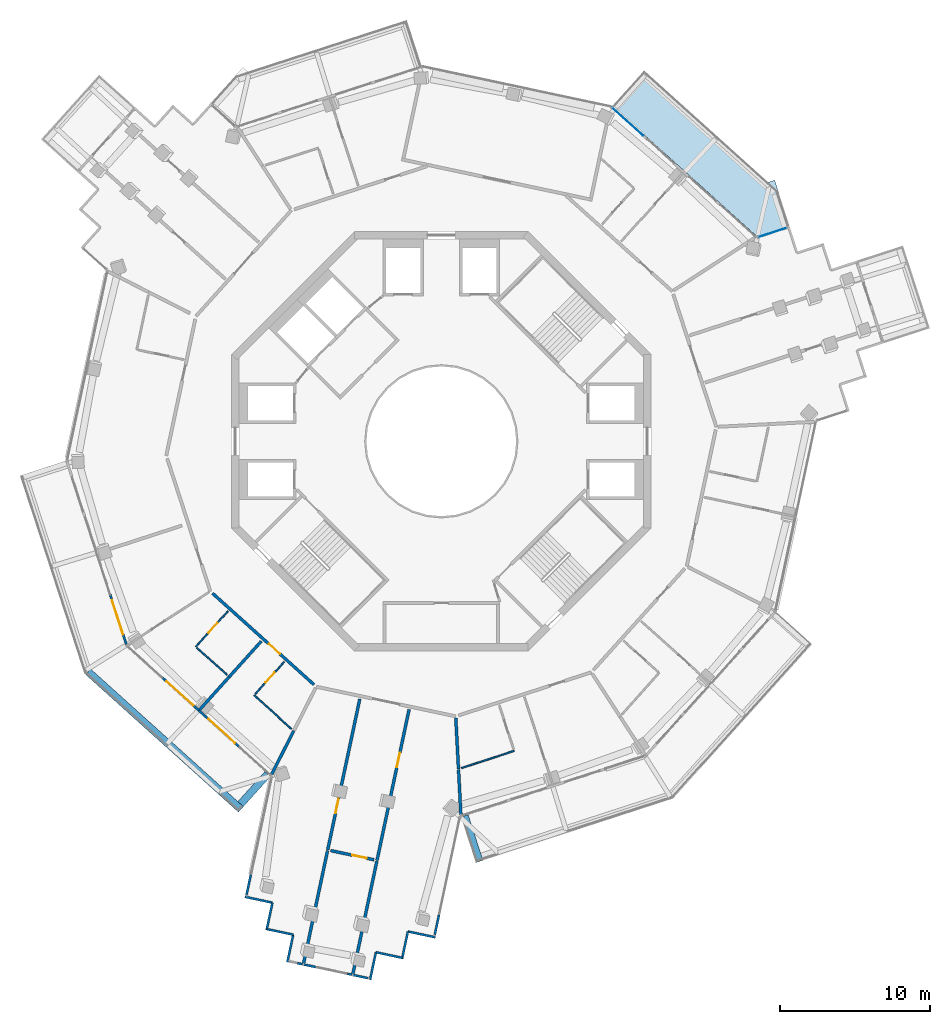
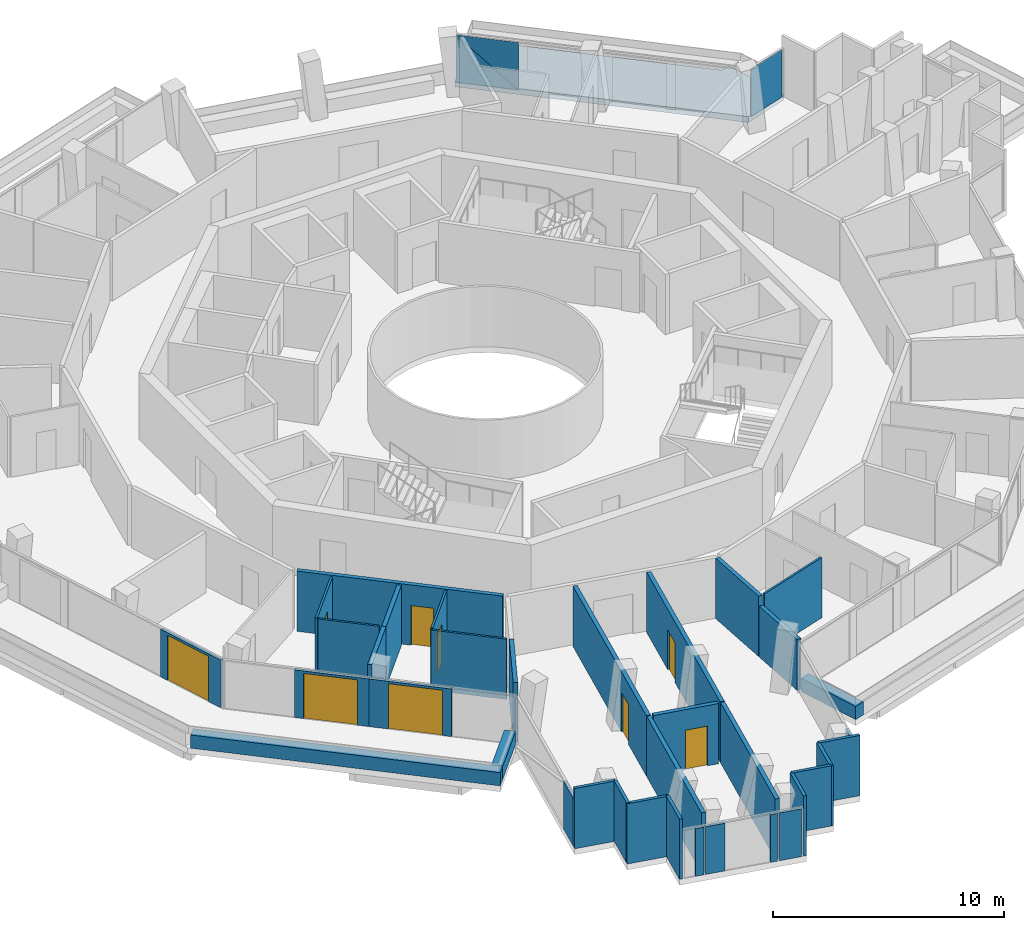
# One storey, part 14 of 22: 36 walls, 9 doors, 3 plates, 1 slab, 9 openings, 2 elements without a shape of their own.
"""IFC4 building model written with IfcOpenShell, lengths in metres."""

from ifc_helpers import new_model, si_unit, direction, frame, frame_2d, origin, origin_2d, place, context, subcontext, project, spatial, polyline, rectangle, outline, extrude, material, layer, layer_set, type_object, element, fill, aggregate, save


model = new_model("IFC4")

# Units and contexts
model_context = context("Model", 3, precision=1e-05, world=origin(), true_north=direction((0.0, 1.0)))
body_context = subcontext(model_context, "Body", "Model", "MODEL_VIEW")
ifc_project = project(units=[si_unit("LENGTHUNIT", "METRE"), si_unit("AREAUNIT", "SQUARE_METRE"), si_unit("VOLUMEUNIT", "CUBIC_METRE"), si_unit("PLANEANGLEUNIT", "RADIAN"), si_unit("MASSUNIT", "GRAM", prefix="KILO")], contexts=[model_context])

# Site, building, storey
site_placement = place(None, origin())
site = spatial("IfcSite", under=ifc_project, at=site_placement, CompositionType="ELEMENT")
building_placement = place(site_placement, origin())
building = spatial("IfcBuilding", under=site, at=building_placement, Name="Verdalira Terraces Hotel", CompositionType="ELEMENT")
storey_placement = place(building_placement, frame((0.0, 0.0, 230.5)))
storey = spatial("IfcBuildingStorey", under=building, at=storey_placement, Name="L56", CompositionType="ELEMENT", Elevation=230.5)

# Slab
ifc_material_1 = material(Name="Precast concrete C40/50", Category="concrete")
ifc_layer_1 = layer(ifc_material_1, 0.31005859375)
ifc_layer_set_1 = layer_set([ifc_layer_1], Name="Balcony deck 310")
slab_type = type_object("IfcSlabType", Name="Balcony deck 310", PredefinedType="FLOOR", material=ifc_layer_set_1)
slab_placement = place(storey_placement, frame((0.0, 0.0, -0.310059)))
element("IfcSlab", 1, at=slab_placement, inside=storey, type_object=slab_type, Name="Balcony deck", PredefinedType="FLOOR", context=body_context, shape_type="SweptSolid", body=[
    extrude(outline(polyline([(13.542725, 24.754883), (11.401611, 22.376709), (21.0625, 13.678223), (23.238037, 14.38501), (22.249268, 17.428467), (21.830566, 17.29248), (13.542725, 24.754883)])), origin(), (0.0, 0.0, 1.0), 0.310059),
])

# Curtain wall, plates
ifc_material_2 = material(Name="Clear glass", Category="glass")
ifc_layer_2 = layer(ifc_material_2, 0.14990234375)
ifc_layer_set_2 = layer_set([ifc_layer_2], Name="CW1 curtain wall")
curtain_wall_type_1 = type_object("IfcCurtainWallType", Name="CW1 curtain wall", PredefinedType="NOTDEFINED", material=ifc_layer_set_2)
curtain_wall_1_placement = place(storey_placement, origin())
curtain_wall_1 = element("IfcCurtainWall", 2, at=curtain_wall_1_placement, inside=storey, type_object=curtain_wall_type_1, Name="CW1 curtain wall L56 edge 39", PredefinedType="NOTDEFINED")
ifc_material_3 = material(Name="Clear glass", Category="glass")
ifc_layer_3 = layer(ifc_material_3, 0.028076171875)
ifc_layer_set_3 = layer_set([ifc_layer_3], Name="CW1 glass unit 28")
plate_type_1 = type_object("IfcPlateType", Name="CW1 glass unit 28", PredefinedType="CURTAIN_PANEL", material=ifc_layer_set_3)
plate_1_placement = place(storey_placement, frame((12.419189, 21.34082, 1.262451), z_axis=(0.669130606, 0.743144825, 0.0), x_axis=(-0.743144825, 0.669130606, 0.0)))
plate_1 = element("IfcPlate", 3, at=plate_1_placement, type_object=plate_type_1, Name="CW1 glass unit", PredefinedType="CURTAIN_PANEL", context=body_context, shape_type="SweptSolid", body=[
    extrude(outline(polyline([(-1.389404, -1.262451), (1.389404, -1.262451), (1.389404, 1.262451), (-1.389404, -1.262451)])), origin(), (0.0, 0.0, 1.0), 0.028076),
])
plate_2_placement = place(storey_placement, frame((12.399658, 21.319336, 1.262451), z_axis=(0.669130606, 0.743144825, 0.0), x_axis=(-0.743144825, 0.669130606, 0.0)))
plate_2 = element("IfcPlate", 4, at=plate_2_placement, type_object=plate_type_1, Name="CW1 glass unit", PredefinedType="CURTAIN_PANEL", context=body_context, shape_type="SweptSolid", body=[
    extrude(outline(polyline([(-1.389404, -1.262451), (1.389404, 1.262451), (-1.389404, 1.262451), (-1.389404, -1.262451)])), origin(), (0.0, 0.0, 1.0), 0.028076),
])
aggregate(curtain_wall_1, [plate_1, plate_2])

# Curtain wall, plate
ifc_material_4 = material(Name="Clear glass", Category="glass")
ifc_layer_4 = layer(ifc_material_4, 0.14990234375)
ifc_layer_set_4 = layer_set([ifc_layer_4], Name="CW2 curtain wall")
curtain_wall_type_2 = type_object("IfcCurtainWallType", Name="CW2 curtain wall", PredefinedType="NOTDEFINED", material=ifc_layer_set_4)
curtain_wall_2_placement = place(storey_placement, origin())
curtain_wall_2 = element("IfcCurtainWall", 5, at=curtain_wall_2_placement, inside=storey, type_object=curtain_wall_type_2, Name="CW2 curtain wall L56 edge 38", PredefinedType="NOTDEFINED")
ifc_material_5 = material(Name="Clear glass", Category="glass")
ifc_layer_5 = layer(ifc_material_5, 0.031982421875)
ifc_layer_set_5 = layer_set([ifc_layer_5], Name="CW2 glass unit 32")
plate_type_2 = type_object("IfcPlateType", Name="CW2 glass unit 32", PredefinedType="CURTAIN_PANEL", material=ifc_layer_set_5)
plate_3_placement = place(storey_placement, frame((22.102051, 13.937012, 0.0), z_axis=(0.0, 0.0, 1.0), x_axis=(-0.951056516, -0.309016994, 0.0)))
plate_3 = element("IfcPlate", 6, at=plate_3_placement, type_object=plate_type_2, Name="CW2 glass unit", PredefinedType="CURTAIN_PANEL", context=body_context, shape_type="SweptSolid", body=[
    extrude(rectangle(XDim=1.997559, YDim=0.031982, at=origin_2d()), origin(), (0.0, 0.0, 1.0), 2.524902),
])
aggregate(curtain_wall_2, [plate_3])

# Walls
ifc_material_6 = material(Name="Concrete C40", Category="concrete")
ifc_layer_6 = layer(ifc_material_6, 0.5)
ifc_layer_set_6 = layer_set([ifc_layer_6], Name="Balcony planter trough with tree")
wall_type_1 = type_object("IfcWallType", Name="Balcony planter trough with tree", PredefinedType="SOLIDWALL", material=ifc_layer_set_6)
wall_1_placement = place(storey_placement, frame((-23.573975, -15.38623, 0.0), z_axis=(0.0, 0.0, 1.0), x_axis=(0.743141094, -0.669134751, 0.0)))
element("IfcWall", 7, at=wall_1_placement, inside=storey, type_object=wall_type_1, Name="Balcony planter", PredefinedType="SOLIDWALL", context=body_context, shape_type="SweptSolid", body=[
    extrude(rectangle(XDim=13.723389, YDim=0.5, at=frame_2d((6.861816, 0.0))), origin(), (0.0, 0.0, 1.0), 0.699951),
])
wall_2_placement = place(storey_placement, frame((-13.394043, -24.216064, 0.0), z_axis=(0.0, 0.0, 1.0), x_axis=(0.669144611, 0.743132215, 0.0)))
element("IfcWall", 8, at=wall_2_placement, inside=storey, type_object=wall_type_1, Name="Balcony planter", PredefinedType="SOLIDWALL", context=body_context, shape_type="SweptSolid", body=[
    extrude(rectangle(XDim=2.699219, YDim=0.5, at=frame_2d((1.349609, 0.0))), origin(), (0.0, 0.0, 1.0), 0.699951),
])
wall_3_placement = place(storey_placement, frame((1.55249, -25.003418, 0.0), z_axis=(0.0, 0.0, 1.0), x_axis=(0.309006691, -0.951059864, 0.0)))
element("IfcWall", 9, at=wall_3_placement, inside=storey, type_object=wall_type_1, Name="Balcony planter", PredefinedType="SOLIDWALL", context=body_context, shape_type="SweptSolid", body=[
    extrude(rectangle(XDim=3.198975, YDim=0.5, at=frame_2d((1.599609, 0.0))), origin(), (0.0, 0.0, 1.0), 0.699951),
])

# Wall, opening, door
ifc_material_7 = material(Name="Moisture-resistant gypsum board partition")
ifc_layer_7 = layer(ifc_material_7, 0.10009765625)
ifc_layer_set_7 = layer_set([ifc_layer_7], Name="Bathroom partition 100 mm")
wall_type_2 = type_object("IfcWallType", Name="Bathroom partition 100 mm", PredefinedType="PARTITIONING", material=ifc_layer_set_7)
wall_4_placement = place(storey_placement, frame((-14.24585, -11.338135, 0.0), z_axis=(0.0, 0.0, 1.0), x_axis=(-0.669137525, -0.743138596, 0.0)))
wall_4 = element("IfcWall", 10, at=wall_4_placement, inside=storey, type_object=wall_type_2, Name="Bathroom partition", PredefinedType="PARTITIONING", context=body_context, shape_type="SweptSolid", body=[
    extrude(rectangle(XDim=3.200195, YDim=0.100098, at=frame_2d((1.600098, 0.0))), origin(), (0.0, 0.0, 1.0), 3.189941),
])
opening_1_placement = place(wall_4_placement, frame((1.050049, 0.0, 0.0)))
opening_1 = element("IfcOpeningElement", 11, at=opening_1_placement, cuts=wall_4, Name="Opening L56-108", PredefinedType="OPENING", context=body_context, shape_type="SweptSolid", body=[
    extrude(rectangle(XDim=0.899902, YDim=2.100098, at=frame_2d((0.449951, 1.050049))), frame((0.0, 0.060059, 0.0), z_axis=(0.0, -1.0, 0.0), x_axis=(1.0, 0.0, 0.0)), (0.0, 0.0, 1.0), 0.120117),
])
ifc_material_8 = material(Name="Timber door", Category="wood")
door_type_1 = type_object("IfcDoorType", Name="Bathroom door 900 x 2100", OperationType="NOTDEFINED", PredefinedType="DOOR", material=ifc_material_8)
door_1_placement = place(opening_1_placement, origin())
door_1 = element("IfcDoor", 12, at=door_1_placement, inside=storey, type_object=door_type_1, Name="Bathroom door 5603", OperationType="SINGLE_SWING_RIGHT", OverallHeight=2.10009765625, OverallWidth=0.89990234375, PredefinedType="DOOR", context=body_context, shape_type="SweptSolid", body=[
    extrude(rectangle(XDim=0.899902, YDim=2.100098, at=frame_2d((0.449951, 1.050049))), frame((0.0, 0.024902, 0.0), z_axis=(0.0, -1.0, 0.0), x_axis=(1.0, 0.0, 0.0)), (0.0, 0.0, 1.0), 0.050049),
])
fill(opening_1, door_1)

# Wall
wall_5_placement = place(storey_placement, frame((-16.312744, -13.783203, 0.0), z_axis=(0.0, 0.0, 1.0), x_axis=(0.743123261, -0.669154555, 0.0)))
element("IfcWall", 13, at=wall_5_placement, inside=storey, type_object=wall_type_2, Name="Bathroom partition", PredefinedType="PARTITIONING", context=body_context, shape_type="SweptSolid", body=[
    extrude(rectangle(XDim=2.699951, YDim=0.100098, at=frame_2d((1.350098, 0.0))), origin(), (0.0, 0.0, 1.0), 3.189941),
])

# Wall, opening, door
wall_6_placement = place(storey_placement, frame((-10.486816, -14.7229, 0.0), z_axis=(0.0, 0.0, 1.0), x_axis=(-0.669094951, -0.743176928, 0.0)))
wall_6 = element("IfcWall", 14, at=wall_6_placement, inside=storey, type_object=wall_type_2, Name="Bathroom partition", PredefinedType="PARTITIONING", context=body_context, shape_type="SweptSolid", body=[
    extrude(rectangle(XDim=2.900146, YDim=0.100098, at=frame_2d((1.450195, 0.0))), origin(), (0.0, 0.0, 1.0), 3.189941),
])
opening_2_placement = place(wall_6_placement, frame((0.949951, 0.0, 0.0)))
opening_2 = element("IfcOpeningElement", 15, at=opening_2_placement, cuts=wall_6, Name="Opening L56-110", PredefinedType="OPENING", context=body_context, shape_type="SweptSolid", body=[
    extrude(rectangle(XDim=0.899902, YDim=2.100098, at=frame_2d((0.449951, 1.050049))), frame((0.0, 0.060059, 0.0), z_axis=(0.0, -1.0, 0.0), x_axis=(1.0, 0.0, 0.0)), (0.0, 0.0, 1.0), 0.120117),
])
door_2_placement = place(opening_2_placement, origin())
door_2 = element("IfcDoor", 16, at=door_2_placement, inside=storey, type_object=door_type_1, Name="Bathroom door 5604", OperationType="SINGLE_SWING_RIGHT", OverallHeight=2.10009765625, OverallWidth=0.89990234375, PredefinedType="DOOR", context=body_context, shape_type="SweptSolid", body=[
    extrude(rectangle(XDim=0.899902, YDim=2.100098, at=frame_2d((0.449951, 1.050049))), frame((0.0, 0.024902, 0.0), z_axis=(0.0, -1.0, 0.0), x_axis=(1.0, 0.0, 0.0)), (0.0, 0.0, 1.0), 0.050049),
])
fill(opening_2, door_2)

# Walls
wall_7_placement = place(storey_placement, frame((-10.004395, -19.194092, 0.0), z_axis=(0.0, 0.0, 1.0), x_axis=(-0.743156437, 0.66911771, 0.0)))
element("IfcWall", 17, at=wall_7_placement, inside=storey, type_object=wall_type_2, Name="Bathroom partition", PredefinedType="PARTITIONING", context=body_context, shape_type="SweptSolid", body=[
    extrude(rectangle(XDim=3.350342, YDim=0.100098, at=frame_2d((1.675293, 0.0))), origin(), (0.0, 0.0, 1.0), 3.189941),
])
wall_8_placement = place(storey_placement, frame((1.343262, -21.810791, 0.0), z_axis=(0.0, 0.0, 1.0), x_axis=(0.951042303, 0.309060736, 0.0)))
element("IfcWall", 18, at=wall_8_placement, inside=storey, type_object=wall_type_2, Name="Bathroom partition", PredefinedType="PARTITIONING", context=body_context, shape_type="SweptSolid", body=[
    extrude(rectangle(XDim=3.704102, YDim=0.100098, at=frame_2d((1.852051, 0.0))), origin(), (0.0, 0.0, 1.0), 3.189941),
])
ifc_material_9 = material(Name="Fire-rated gypsum board wall")
ifc_layer_8 = layer(ifc_material_9, 0.199951171875)
ifc_layer_set_8 = layer_set([ifc_layer_8], Name="Demising wall 200 mm")
wall_type_3 = type_object("IfcWallType", Name="Demising wall 200 mm", PredefinedType="SOLIDWALL", material=ifc_layer_set_8)
wall_9_placement = place(storey_placement, frame((-14.157715, -15.723633, 0.0), z_axis=(0.0, 0.0, 1.0), x_axis=(-0.669101889, -0.743170682, 0.0)))
element("IfcWall", 19, at=wall_9_placement, inside=storey, type_object=wall_type_3, Name="Demising wall", PredefinedType="SOLIDWALL", context=body_context, shape_type="SweptSolid", body=[
    extrude(rectangle(XDim=2.949951, YDim=0.199951, at=frame_2d((1.475098, 0.0))), origin(), (0.0, 0.0, 1.0), 3.189941),
])
wall_10_placement = place(storey_placement, frame((-12.016602, -13.345703, 0.0), z_axis=(0.0, 0.0, 1.0), x_axis=(-0.669133329, -0.743142374, 0.0)))
element("IfcWall", 20, at=wall_10_placement, inside=storey, type_object=wall_type_3, Name="Demising wall", PredefinedType="SOLIDWALL", context=body_context, shape_type="SweptSolid", body=[
    extrude(rectangle(XDim=3.199951, YDim=0.199951, at=frame_2d((1.600098, 0.0))), origin(), (0.0, 0.0, 1.0), 3.189941),
])
wall_11_placement = place(storey_placement, frame((-11.333496, -22.243164, 0.0), z_axis=(0.0, 0.0, 1.0), x_axis=(0.453982845, 0.891010424, 0.0)))
element("IfcWall", 21, at=wall_11_placement, inside=storey, type_object=wall_type_3, Name="Demising wall", PredefinedType="SOLIDWALL", context=body_context, shape_type="SweptSolid", body=[
    extrude(rectangle(XDim=3.268555, YDim=0.199951, at=frame_2d((1.634277, 0.0))), origin(), (0.0, 0.0, 1.0), 3.189941),
])
wall_12_placement = place(storey_placement, frame((-7.593262, -27.324707, 0.0), z_axis=(0.0, 0.0, 1.0), x_axis=(-0.207928625, -0.978144001, 0.0)))
element("IfcWall", 22, at=wall_12_placement, inside=storey, type_object=wall_type_3, Name="Demising wall", PredefinedType="SOLIDWALL", context=body_context, shape_type="SweptSolid", body=[
    extrude(rectangle(XDim=7.689453, YDim=0.199951, at=frame_2d((3.844727, 0.0))), origin(), (0.0, 0.0, 1.0), 3.189941),
])

# Wall, opening, door
wall_13_placement = place(storey_placement, frame((-7.58374, -27.279785, 0.0), z_axis=(0.0, 0.0, 1.0), x_axis=(0.207905522, 0.978148912, 0.0)))
wall_13 = element("IfcWall", 23, at=wall_13_placement, inside=storey, type_object=wall_type_3, Name="Demising wall", PredefinedType="SOLIDWALL", context=body_context, shape_type="SweptSolid", body=[
    extrude(rectangle(XDim=10.302002, YDim=0.199951, at=frame_2d((5.150879, 0.0))), origin(), (0.0, 0.0, 1.0), 3.189941),
])
opening_3_placement = place(wall_13_placement, frame((2.5, 0.0, 0.0)))
opening_3 = element("IfcOpeningElement", 24, at=opening_3_placement, cuts=wall_13, Name="Opening L56-112", PredefinedType="OPENING", context=body_context, shape_type="SweptSolid", body=[
    extrude(rectangle(XDim=1.0, YDim=2.100098, at=frame_2d((0.5, 1.050049))), frame((0.0, 0.109863, 0.0), z_axis=(0.0, -1.0, 0.0), x_axis=(1.0, 0.0, 0.0)), (0.0, 0.0, 1.0), 0.219971),
])
ifc_material_10 = material(Name="Timber fire door", Category="wood")
door_type_2 = type_object("IfcDoorType", Name="Public room door 1000 x 2100", OperationType="NOTDEFINED", PredefinedType="DOOR", material=ifc_material_10)
door_3_placement = place(opening_3_placement, origin())
door_3 = element("IfcDoor", 25, at=door_3_placement, inside=storey, type_object=door_type_2, Name="Public room door 5605", OperationType="SINGLE_SWING_LEFT", OverallHeight=2.10009765625, OverallWidth=1.0, PredefinedType="DOOR", context=body_context, shape_type="SweptSolid", body=[
    extrude(rectangle(XDim=1.0, YDim=2.100098, at=frame_2d((0.5, 1.050049))), frame((0.0, 0.024902, 0.0), z_axis=(0.0, -1.0, 0.0), x_axis=(1.0, 0.0, 0.0)), (0.0, 0.0, 1.0), 0.050049),
])
fill(opening_3, door_3)

wall_14_placement = place(storey_placement, frame((-4.487549, -27.935791, 0.0), z_axis=(0.0, 0.0, 1.0), x_axis=(-0.978146921, 0.20791489, 0.0)))
wall_14 = element("IfcWall", 26, at=wall_14_placement, inside=storey, type_object=wall_type_3, Name="Demising wall", PredefinedType="SOLIDWALL", context=body_context, shape_type="SweptSolid", body=[
    extrude(rectangle(XDim=2.964844, YDim=0.199951, at=frame_2d((1.482422, 0.0))), origin(), (0.0, 0.0, 1.0), 3.189941),
])
opening_4_placement = place(wall_14_placement, frame((0.5, 0.0, 0.0)))
opening_4 = element("IfcOpeningElement", 27, at=opening_4_placement, cuts=wall_14, Name="Opening L56-114", PredefinedType="OPENING", context=body_context, shape_type="SweptSolid", body=[
    extrude(rectangle(XDim=1.0, YDim=2.100098, at=frame_2d((0.5, 1.050049))), frame((0.0, 0.109863, 0.0), z_axis=(0.0, -1.0, 0.0), x_axis=(1.0, 0.0, 0.0)), (0.0, 0.0, 1.0), 0.219971),
])
door_4_placement = place(opening_4_placement, origin())
door_4 = element("IfcDoor", 28, at=door_4_placement, inside=storey, type_object=door_type_2, Name="Public room door 5605", OperationType="SINGLE_SWING_LEFT", OverallHeight=2.10009765625, OverallWidth=1.0, PredefinedType="DOOR", context=body_context, shape_type="SweptSolid", body=[
    extrude(rectangle(XDim=1.0, YDim=2.100098, at=frame_2d((0.5, 1.050049))), frame((0.0, 0.024902, 0.0), z_axis=(0.0, -1.0, 0.0), x_axis=(1.0, 0.0, 0.0)), (0.0, 0.0, 1.0), 0.050049),
])
fill(opening_4, door_4)

# Wall
wall_15_placement = place(storey_placement, frame((-5.900635, -35.545898, 0.0), z_axis=(0.0, 0.0, 1.0), x_axis=(0.207928625, 0.978144001, 0.0)))
element("IfcWall", 29, at=wall_15_placement, inside=storey, type_object=wall_type_3, Name="Demising wall", PredefinedType="SOLIDWALL", context=body_context, shape_type="SweptSolid", body=[
    extrude(rectangle(XDim=7.689453, YDim=0.199951, at=frame_2d((3.844727, 0.0))), origin(), (0.0, 0.0, 1.0), 3.189941),
])

# Wall, opening, door
wall_16_placement = place(storey_placement, frame((-2.150391, -17.902588, 0.0), z_axis=(0.0, 0.0, 1.0), x_axis=(-0.207910341, -0.978147888, 0.0)))
wall_16 = element("IfcWall", 30, at=wall_16_placement, inside=storey, type_object=wall_type_3, Name="Demising wall", PredefinedType="SOLIDWALL", context=body_context, shape_type="SweptSolid", body=[
    extrude(rectangle(XDim=10.301758, YDim=0.199951, at=frame_2d((5.150879, 0.0))), origin(), (0.0, 0.0, 1.0), 3.189941),
])
opening_5_placement = place(wall_16_placement, frame((2.949951, 0.0, 0.0)))
opening_5 = element("IfcOpeningElement", 31, at=opening_5_placement, cuts=wall_16, Name="Opening L56-113", PredefinedType="OPENING", context=body_context, shape_type="SweptSolid", body=[
    extrude(rectangle(XDim=1.0, YDim=2.100098, at=frame_2d((0.5, 1.050049))), frame((0.0, 0.109863, 0.0), z_axis=(0.0, -1.0, 0.0), x_axis=(1.0, 0.0, 0.0)), (0.0, 0.0, 1.0), 0.219971),
])
door_5_placement = place(opening_5_placement, origin())
door_5 = element("IfcDoor", 32, at=door_5_placement, inside=storey, type_object=door_type_2, Name="Public room door 5605", OperationType="SINGLE_SWING_LEFT", OverallHeight=2.10009765625, OverallWidth=1.0, PredefinedType="DOOR", context=body_context, shape_type="SweptSolid", body=[
    extrude(rectangle(XDim=1.0, YDim=2.100098, at=frame_2d((0.5, 1.050049))), frame((0.0, 0.024902, 0.0), z_axis=(0.0, -1.0, 0.0), x_axis=(1.0, 0.0, 0.0)), (0.0, 0.0, 1.0), 0.050049),
])
fill(opening_5, door_5)

# Walls
wall_17_placement = place(storey_placement, frame((0.967529, -18.462891, 0.0), z_axis=(0.0, 0.0, 1.0), x_axis=(0.05234892, -0.998628855, 0.0)))
element("IfcWall", 33, at=wall_17_placement, inside=storey, type_object=wall_type_3, Name="Demising wall", PredefinedType="SOLIDWALL", context=body_context, shape_type="SweptSolid", body=[
    extrude(rectangle(XDim=3.418457, YDim=0.199951, at=frame_2d((1.709229, 0.0))), origin(), (0.0, 0.0, 1.0), 3.189941),
])
ifc_material_11 = material(Name="Fire-rated gypsum board wall")
ifc_layer_9 = layer(ifc_material_11, 0.199951171875)
ifc_layer_set_9 = layer_set([ifc_layer_9], Name="Demising wall 200 mm to beam soffit")
wall_type_4 = type_object("IfcWallType", Name="Demising wall 200 mm to beam soffit", PredefinedType="SOLIDWALL", material=ifc_layer_set_9)
wall_18_placement = place(storey_placement, frame((1.148926, -21.922607, 0.0), z_axis=(0.0, 0.0, 1.0), x_axis=(0.05229076, -0.998631902, 0.0)))
element("IfcWall", 34, at=wall_18_placement, inside=storey, type_object=wall_type_4, Name="Demising wall", PredefinedType="SOLIDWALL", context=body_context, shape_type="SweptSolid", body=[
    extrude(rectangle(XDim=3.011475, YDim=0.199951, at=frame_2d((1.505859, 0.0))), origin(), (0.0, 0.0, 1.0), 2.689941),
])

# Wall, opening, door
ifc_material_12 = material(Name="Fire-rated gypsum board wall")
ifc_layer_10 = layer(ifc_material_12, 0.199951171875)
ifc_layer_set_10 = layer_set([ifc_layer_10], Name="Guest corridor wall 200 mm")
wall_type_5 = type_object("IfcWallType", Name="Guest corridor wall 200 mm", PredefinedType="SOLIDWALL", material=ifc_layer_set_10)
wall_19_placement = place(storey_placement, frame((-8.495117, -16.24707, 0.0), z_axis=(0.0, 0.0, 1.0), x_axis=(-0.743147652, 0.669127468, 0.0)))
wall_19 = element("IfcWall", 35, at=wall_19_placement, inside=storey, type_object=wall_type_5, Name="Guest corridor wall", PredefinedType="SOLIDWALL", context=body_context, shape_type="SweptSolid", body=[
    extrude(rectangle(XDim=9.116455, YDim=0.199951, at=frame_2d((4.558105, 0.0))), origin(), (0.0, 0.0, 1.0), 3.189941),
])
opening_6_placement = place(wall_19_placement, frame((3.050049, 0.0, 0.0)))
opening_6 = element("IfcOpeningElement", 36, at=opening_6_placement, cuts=wall_19, Name="Opening L56-109", PredefinedType="OPENING", context=body_context, shape_type="SweptSolid", body=[
    extrude(rectangle(XDim=1.0, YDim=2.100098, at=frame_2d((0.5, 1.050049))), frame((0.0, 0.109863, 0.0), z_axis=(0.0, -1.0, 0.0), x_axis=(1.0, 0.0, 0.0)), (0.0, 0.0, 1.0), 0.219971),
])
ifc_material_13 = material(Name="Timber fire door", Category="wood")
door_type_3 = type_object("IfcDoorType", Name="Guest entry door 1000 x 2100", OperationType="NOTDEFINED", PredefinedType="DOOR", material=ifc_material_13)
door_6_placement = place(opening_6_placement, origin())
door_6 = element("IfcDoor", 37, at=door_6_placement, inside=storey, type_object=door_type_3, Name="Guest entry door 5604", OperationType="SINGLE_SWING_RIGHT", OverallHeight=2.10009765625, OverallWidth=1.0, PredefinedType="DOOR", context=body_context, shape_type="SweptSolid", body=[
    extrude(rectangle(XDim=1.0, YDim=2.100098, at=frame_2d((0.5, 1.050049))), frame((0.0, 0.024902, 0.0), z_axis=(0.0, -1.0, 0.0), x_axis=(1.0, 0.0, 0.0)), (0.0, 0.0, 1.0), 0.050049),
])
fill(opening_6, door_6)

# Walls
ifc_material_14 = material(Name="Terracotta cladding", Category="masonry")
ifc_layer_11 = layer(ifc_material_14, 0.14990234375)
ifc_layer_set_11 = layer_set([ifc_layer_11], Name="Terracotta clad wall 150")
wall_type_6 = type_object("IfcWallType", Name="Terracotta clad wall 150", PredefinedType="SOLIDWALL", material=ifc_layer_set_11)
wall_20_placement = place(storey_placement, frame((-13.109131, -30.409912, 0.0), z_axis=(0.0, 0.0, 1.0), x_axis=(0.978145944, -0.207919483, 0.0)))
element("IfcWall", 38, at=wall_20_placement, inside=storey, type_object=wall_type_6, Name="Terracotta cladding wall", PredefinedType="SOLIDWALL", context=body_context, shape_type="SweptSolid", body=[
    extrude(rectangle(XDim=1.875244, YDim=0.149902, at=frame_2d((0.9375, 0.0))), origin(), (0.0, 0.0, 1.0), 3.189941),
])
wall_21_placement = place(storey_placement, frame((-11.274902, -30.799805, 0.0), z_axis=(0.0, 0.0, 1.0), x_axis=(-0.207944738, -0.978140576, 0.0)))
element("IfcWall", 39, at=wall_21_placement, inside=storey, type_object=wall_type_6, Name="Terracotta cladding wall", PredefinedType="SOLIDWALL", context=body_context, shape_type="SweptSolid", body=[
    extrude(rectangle(XDim=1.799805, YDim=0.149902, at=frame_2d((0.899902, 0.0))), origin(), (0.0, 0.0, 1.0), 3.189941),
])
for number, where, z_axis, x_axis, name in (
    (40, (-11.722656, -32.544922, 0.0), (0.0, 0.0, 1.0), (0.978166793, -0.207821379, 0.0), "Terracotta cladding wall"),
    (41, (-9.888672, -32.93457, 0.0), (0.0, 0.0, 1.0), (-0.207821379, -0.978166793, 0.0), "Terracotta cladding wall"),
    (42, (-4.751953, -35.943359, 0.0), (0.0, 0.0, 1.0), (0.207945964, 0.978140315, 0.0), "Terracotta cladding wall"),
):
    element("IfcWall", number, at=place(storey_placement, frame(where, z_axis=z_axis, x_axis=x_axis)), inside=storey, type_object=wall_type_6, Name=name, PredefinedType="SOLIDWALL", context=body_context, shape_type="SweptSolid", body=[
        extrude(rectangle(XDim=1.875, YDim=0.149902, at=frame_2d((0.9375, 0.0))), origin(), (0.0, 0.0, 1.0), 3.189941),
    ])
wall_22_placement = place(storey_placement, frame((-4.362061, -34.109375, 0.0), z_axis=(0.0, 0.0, 1.0), x_axis=(0.97814644, -0.207917151, 0.0)))
element("IfcWall", 43, at=wall_22_placement, inside=storey, type_object=wall_type_6, Name="Terracotta cladding wall", PredefinedType="SOLIDWALL", context=body_context, shape_type="SweptSolid", body=[
    extrude(rectangle(XDim=1.800049, YDim=0.149902, at=frame_2d((0.899902, 0.0))), origin(), (0.0, 0.0, 1.0), 3.189941),
])
for number, where, z_axis, x_axis, name in (
    (44, (-2.616943, -34.556885, 0.0), (0.0, 0.0, 1.0), (0.207945964, 0.978140315, 0.0), "Terracotta cladding wall"),
    (45, (-2.227051, -32.7229, 0.0), (0.0, 0.0, 1.0), (0.978140315, -0.207945964, 0.0), "Terracotta cladding wall"),
):
    element("IfcWall", number, at=place(storey_placement, frame(where, z_axis=z_axis, x_axis=x_axis)), inside=storey, type_object=wall_type_6, Name=name, PredefinedType="SOLIDWALL", context=body_context, shape_type="SweptSolid", body=[
        extrude(rectangle(XDim=1.875, YDim=0.149902, at=frame_2d((0.9375, 0.0))), origin(), (0.0, 0.0, 1.0), 3.189941),
    ])
ifc_material_15 = material(Name="Terracotta cladding", Category="masonry")
ifc_layer_12 = layer(ifc_material_15, 0.14990234375)
ifc_layer_set_12 = layer_set([ifc_layer_12], Name="Terracotta column pier 150")
wall_type_7 = type_object("IfcWallType", Name="Terracotta column pier 150", PredefinedType="SOLIDWALL", material=ifc_layer_set_12)
wall_23_placement = place(storey_placement, frame((-12.718506, -28.933838, 0.0), z_axis=(0.0, 0.0, 1.0), x_axis=(-0.208042827, -0.978119718, 0.0)))
element("IfcWall", 46, at=wall_23_placement, inside=storey, type_object=wall_type_7, Name="Terracotta column pier", PredefinedType="SOLIDWALL", context=body_context, shape_type="SweptSolid", body=[
    extrude(rectangle(XDim=1.380127, YDim=0.149902, at=frame_2d((0.689941, 0.0))), origin(), (0.0, 0.0, 1.0), 2.524902),
])
wall_24_placement = place(storey_placement, frame((-9.612305, -34.833496, 0.0), z_axis=(0.0, 0.0, 1.0), x_axis=(0.978040802, -0.208413504, 0.0)))
element("IfcWall", 47, at=wall_24_placement, inside=storey, type_object=wall_type_7, Name="Terracotta column pier", PredefinedType="SOLIDWALL", context=body_context, shape_type="SweptSolid", body=[
    extrude(rectangle(XDim=0.373779, YDim=0.149902, at=frame_2d((0.187012, 0.0))), origin(), (0.0, 0.0, 1.0), 2.524902),
])
wall_25_placement = place(storey_placement, frame((-9.168457, -34.927979, 0.0), z_axis=(0.0, 0.0, 1.0), x_axis=(0.978142792, -0.207934314, 0.0)))
element("IfcWall", 48, at=wall_25_placement, inside=storey, type_object=wall_type_7, Name="Terracotta column pier", PredefinedType="SOLIDWALL", context=body_context, shape_type="SweptSolid", body=[
    extrude(rectangle(XDim=0.888916, YDim=0.149902, at=frame_2d((0.444336, 0.0))), origin(), (0.0, 0.0, 1.0), 2.524902),
])
wall_26_placement = place(storey_placement, frame((-6.26709, -35.544678, 0.0), z_axis=(0.0, 0.0, 1.0), x_axis=(0.978215273, -0.207593061, 0.0)))
element("IfcWall", 49, at=wall_26_placement, inside=storey, type_object=wall_type_7, Name="Terracotta column pier", PredefinedType="SOLIDWALL", context=body_context, shape_type="SweptSolid", body=[
    extrude(rectangle(XDim=0.318604, YDim=0.149902, at=frame_2d((0.15918, 0.0))), origin(), (0.0, 0.0, 1.0), 2.524902),
])
wall_27_placement = place(storey_placement, frame((-5.876953, -35.627441, 0.0), z_axis=(0.0, 0.0, 1.0), x_axis=(0.978101746, -0.208127303, 0.0)))
element("IfcWall", 50, at=wall_27_placement, inside=storey, type_object=wall_type_7, Name="Terracotta column pier", PredefinedType="SOLIDWALL", context=body_context, shape_type="SweptSolid", body=[
    extrude(rectangle(XDim=1.01123, YDim=0.149902, at=frame_2d((0.505615, 0.0))), origin(), (0.0, 0.0, 1.0), 2.524902),
])
wall_28_placement = place(storey_placement, frame((-0.436279, -32.955322, 0.0), z_axis=(0.0, 0.0, 1.0), x_axis=(0.207873784, 0.978155657, 0.0)))
element("IfcWall", 51, at=wall_28_placement, inside=storey, type_object=wall_type_7, Name="Terracotta column pier", PredefinedType="SOLIDWALL", context=body_context, shape_type="SweptSolid", body=[
    extrude(rectangle(XDim=1.360107, YDim=0.149902, at=frame_2d((0.680176, 0.0))), origin(), (0.0, 0.0, 1.0), 2.524902),
])

# Wall, opening, door
ifc_material_16 = material(Name="Terracotta cladding", Category="masonry")
ifc_layer_13 = layer(ifc_material_16, 0.14990234375)
ifc_layer_set_13 = layer_set([ifc_layer_13], Name="Terracotta door pier 150")
wall_type_8 = type_object("IfcWallType", Name="Terracotta door pier 150", PredefinedType="SOLIDWALL", material=ifc_layer_set_13)
wall_29_placement = place(storey_placement, frame((-22.10498, -10.227051, 0.0), z_axis=(0.0, 0.0, 1.0), x_axis=(0.309070318, -0.951039189, 0.0)))
wall_29 = element("IfcWall", 52, at=wall_29_placement, inside=storey, type_object=wall_type_8, Name="Terracotta door pier", PredefinedType="SOLIDWALL", context=body_context, shape_type="SweptSolid", body=[
    extrude(rectangle(XDim=3.50415, YDim=0.149902, at=frame_2d((1.751953, 0.0))), origin(), (0.0, 0.0, 1.0), 2.524902),
])
opening_7_placement = place(wall_29_placement, frame((0.399902, 0.0, 0.0)))
opening_7 = element("IfcOpeningElement", 53, at=opening_7_placement, cuts=wall_29, Name="Opening L56-B03", PredefinedType="OPENING", context=body_context, shape_type="SweptSolid", body=[
    extrude(rectangle(XDim=2.399902, YDim=2.399902, at=frame_2d((1.199951, 1.199951))), frame((0.0, 0.084961, 0.0), z_axis=(0.0, -1.0, 0.0), x_axis=(1.0, 0.0, 0.0)), (0.0, 0.0, 1.0), 0.169922),
])
ifc_material_17 = material(Name="Clear glass", Category="glass")
door_type_4 = type_object("IfcDoorType", Name="Balcony sliding door 2400x2400", OperationType="NOTDEFINED", PredefinedType="DOOR", material=ifc_material_17)
door_7_placement = place(opening_7_placement, origin())
door_7 = element("IfcDoor", 54, at=door_7_placement, inside=storey, type_object=door_type_4, Name="Balcony sliding door", OperationType="SLIDING_TO_RIGHT", OverallHeight=2.39990234375, OverallWidth=2.39990234375, PredefinedType="DOOR", context=body_context, shape_type="SweptSolid", body=[
    extrude(rectangle(XDim=2.399902, YDim=2.399902, at=frame_2d((1.199951, 1.199951))), frame((0.0, 0.024902, 0.0), z_axis=(0.0, -1.0, 0.0), x_axis=(1.0, 0.0, 0.0)), (0.0, 0.0, 1.0), 0.050049),
])
fill(opening_7, door_7)

wall_30_placement = place(storey_placement, frame((-18.634277, -15.763672, 0.0), z_axis=(0.0, 0.0, 1.0), x_axis=(0.743165376, -0.669107781, 0.0)))
wall_30 = element("IfcWall", 55, at=wall_30_placement, inside=storey, type_object=wall_type_8, Name="Terracotta door pier", PredefinedType="SOLIDWALL", context=body_context, shape_type="SweptSolid", body=[
    extrude(rectangle(XDim=3.300049, YDim=0.149902, at=frame_2d((1.649902, 0.0))), origin(), (0.0, 0.0, 1.0), 2.524902),
])
opening_8_placement = place(wall_30_placement, frame((0.399902, 0.0, 0.0)))
opening_8 = element("IfcOpeningElement", 56, at=opening_8_placement, cuts=wall_30, Name="Opening L56-B04", PredefinedType="OPENING", context=body_context, shape_type="SweptSolid", body=[
    extrude(rectangle(XDim=2.399902, YDim=2.399902, at=frame_2d((1.199951, 1.199951))), frame((0.0, 0.084961, 0.0), z_axis=(0.0, -1.0, 0.0), x_axis=(1.0, 0.0, 0.0)), (0.0, 0.0, 1.0), 0.169922),
])
door_8_placement = place(opening_8_placement, origin())
door_8 = element("IfcDoor", 57, at=door_8_placement, inside=storey, type_object=door_type_4, Name="Balcony sliding door", OperationType="SLIDING_TO_RIGHT", OverallHeight=2.39990234375, OverallWidth=2.39990234375, PredefinedType="DOOR", context=body_context, shape_type="SweptSolid", body=[
    extrude(rectangle(XDim=2.399902, YDim=2.399902, at=frame_2d((1.199951, 1.199951))), frame((0.0, 0.024902, 0.0), z_axis=(0.0, -1.0, 0.0), x_axis=(1.0, 0.0, 0.0)), (0.0, 0.0, 1.0), 0.050049),
])
fill(opening_8, door_8)

wall_31_placement = place(storey_placement, frame((-16.181885, -17.97168, 0.0), z_axis=(0.0, 0.0, 1.0), x_axis=(0.743144927, -0.669130493, 0.0)))
wall_31 = element("IfcWall", 58, at=wall_31_placement, inside=storey, type_object=wall_type_8, Name="Terracotta door pier", PredefinedType="SOLIDWALL", context=body_context, shape_type="SweptSolid", body=[
    extrude(rectangle(XDim=3.661377, YDim=0.149902, at=frame_2d((1.830566, 0.0))), origin(), (0.0, 0.0, 1.0), 2.524902),
])
opening_9_placement = place(wall_31_placement, frame((0.861328, 0.0, 0.0)))
opening_9 = element("IfcOpeningElement", 59, at=opening_9_placement, cuts=wall_31, Name="Opening L56-B05", PredefinedType="OPENING", context=body_context, shape_type="SweptSolid", body=[
    extrude(rectangle(XDim=2.399902, YDim=2.399902, at=frame_2d((1.199951, 1.199951))), frame((0.0, 0.084961, 0.0), z_axis=(0.0, -1.0, 0.0), x_axis=(1.0, 0.0, 0.0)), (0.0, 0.0, 1.0), 0.169922),
])
door_9_placement = place(opening_9_placement, origin())
door_9 = element("IfcDoor", 60, at=door_9_placement, inside=storey, type_object=door_type_4, Name="Balcony sliding door", OperationType="SLIDING_TO_LEFT", OverallHeight=2.39990234375, OverallWidth=2.39990234375, PredefinedType="DOOR", context=body_context, shape_type="SweptSolid", body=[
    extrude(rectangle(XDim=2.399902, YDim=2.399902, at=frame_2d((1.199951, 1.199951))), frame((0.0, 0.024902, 0.0), z_axis=(0.0, -1.0, 0.0), x_axis=(1.0, 0.0, 0.0)), (0.0, 0.0, 1.0), 0.050049),
])
fill(opening_9, door_9)

save(model, "model.ifc")
